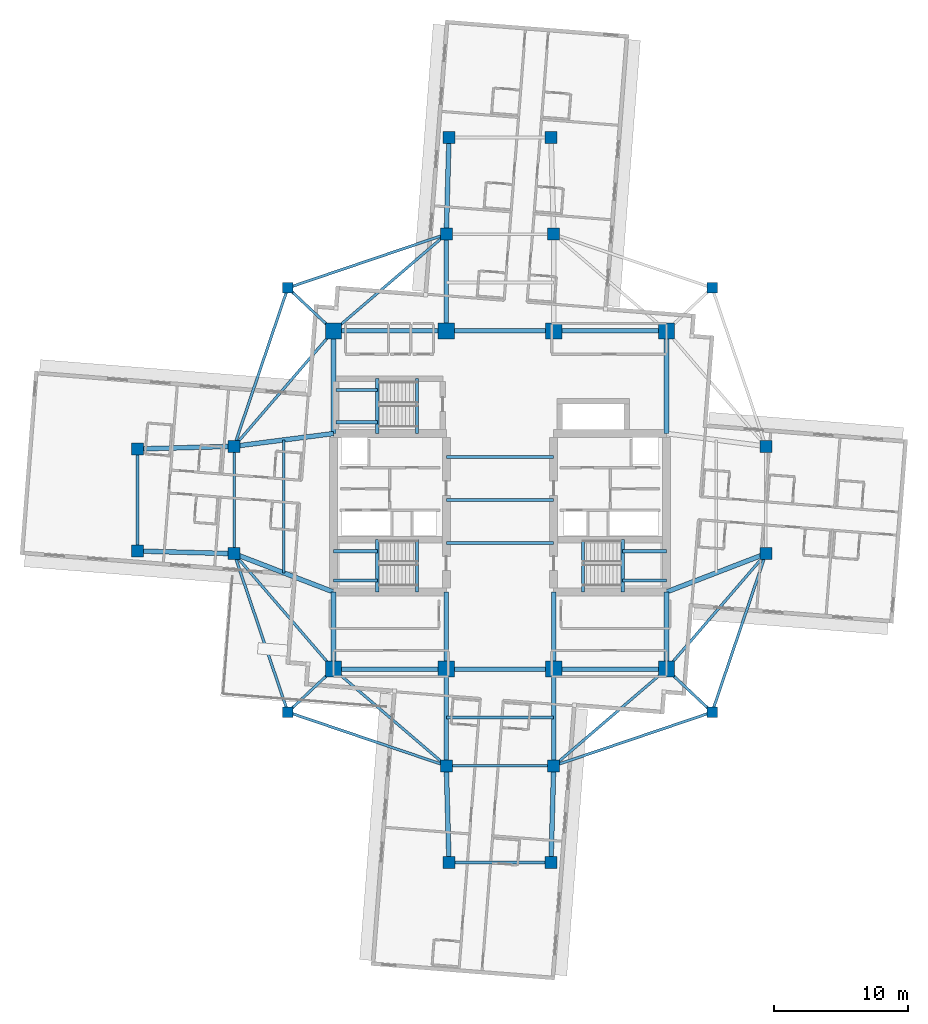
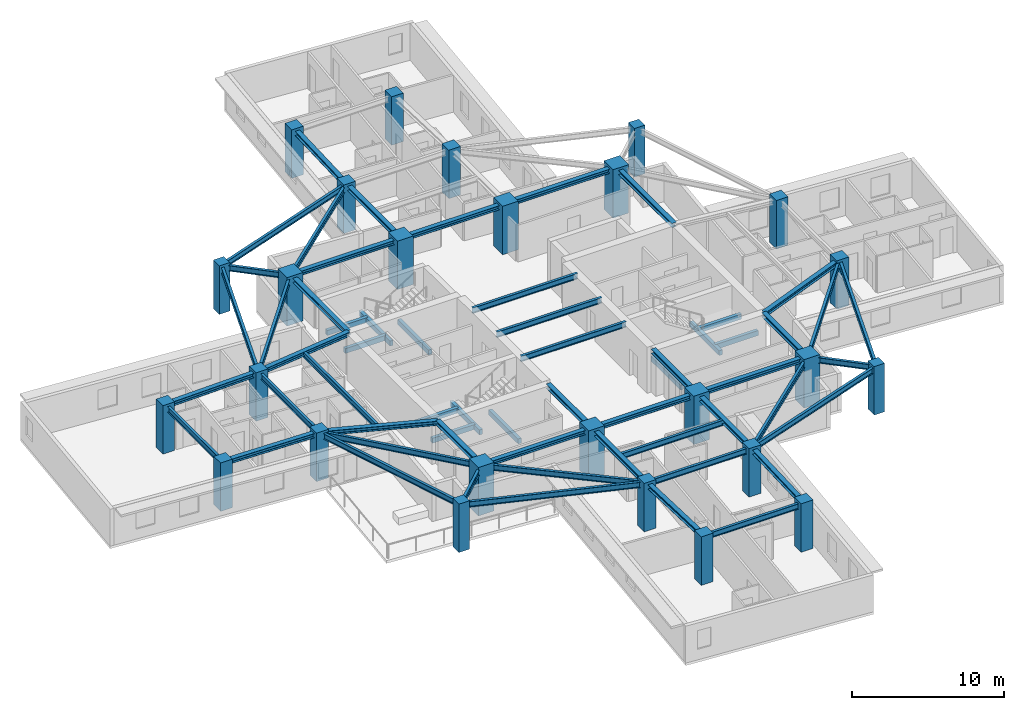
# One storey, part 1 of 14: 59 beams, 26 columns.
"""IFC4 building model written with IfcOpenShell, lengths in metres."""

from ifc_helpers import new_model, si_unit, direction, frame, origin, origin_2d, place, context, subcontext, project, spatial, rectangle, i_section, extrude, material, material_profile, profile_set, type_object, element, save


model = new_model("IFC4")

# Units and contexts
model_context = context("Model", 3, precision=1e-05, world=origin(), true_north=direction((0.0, 1.0)))
body_context = subcontext(model_context, "Body", "Model", "MODEL_VIEW")
ifc_project = project(units=[si_unit("LENGTHUNIT", "METRE"), si_unit("AREAUNIT", "SQUARE_METRE"), si_unit("VOLUMEUNIT", "CUBIC_METRE"), si_unit("PLANEANGLEUNIT", "RADIAN"), si_unit("MASSUNIT", "GRAM", prefix="KILO")], contexts=[model_context])

# Site, building, storey
site_placement = place(None, origin())
site = spatial("IfcSite", under=ifc_project, at=site_placement, CompositionType="ELEMENT")
building_placement = place(site_placement, origin())
building = spatial("IfcBuilding", under=site, at=building_placement, Name="Qingluan Cross Belvedere", CompositionType="ELEMENT")
storey_placement = place(building_placement, frame((0.0, 0.0, 164.39990234375)))
storey = spatial("IfcBuildingStorey", under=building, at=storey_placement, Name="L41", CompositionType="ELEMENT", Elevation=164.39990234375)

# Columns
ifc_material_1 = material(Name="Concrete C60", Category="concrete")
ifc_material_profile_1 = material_profile(ifc_material_1, rectangle(XDim=1.199951171875, YDim=1.199951171875, at=origin_2d()), Name="RC1200x1200")
ifc_profile_set_1 = profile_set([ifc_material_profile_1], Name="Concrete C60")
column_type_1 = type_object("IfcColumnType", Name="Column_RC1200x1200", PredefinedType="COLUMN", material=ifc_profile_set_1)
for number, where, z_axis, x_axis, name in (
    (1, (-12.39990234375, -12.60009765625, 0.0), (0.0, 0.0, 1.0), (1.0, 0.0, 0.0), "Hub column L41-HC1"),
    (2, (12.39990234375, -12.60009765625, 0.0), (0.0, 0.0, 1.0), (1.0, 0.0, 0.0), "Hub column L41-HC2"),
    (3, (12.39990234375, 12.60009765625, 0.0), (0.0, 0.0, 1.0), (1.0, 0.0, 0.0), "Hub column L41-HC3"),
    (4, (-12.39990234375, 12.60009765625, 0.0), (0.0, 0.0, 1.0), (1.0, 0.0, 0.0), "Hub column L41-HC4"),
    (5, (-4.0, -12.60009765625, 0.0), (0.0, 0.0, 1.0), (1.0, 0.0, 0.0), "Hub column L41-HC5"),
    (6, (4.0, -12.60009765625, 0.0), (0.0, 0.0, 1.0), (1.0, 0.0, 0.0), "Hub column L41-HC6"),
    (7, (4.0, 12.60009765625, 0.0), (0.0, 0.0, 1.0), (1.0, 0.0, 0.0), "Hub column L41-HC7"),
    (8, (-4.0, 12.60009765625, 0.0), (0.0, 0.0, 1.0), (1.0, 0.0, 0.0), "Hub column L41-HC8"),
):
    element("IfcColumn", number, at=place(storey_placement, frame(where, z_axis=z_axis, x_axis=x_axis)), inside=storey, type_object=column_type_1, Name=name, PredefinedType="COLUMN", context=body_context, shape_type="SweptSolid", body=[
        extrude(rectangle(XDim=1.199951171875, YDim=1.199951171875, at=origin_2d()), origin(), (0.0, 0.0, 1.0), 3.900146484375),
    ])
ifc_material_2 = material(Name="Concrete C50", Category="concrete")
ifc_material_profile_2 = material_profile(ifc_material_2, rectangle(XDim=0.800048828125, YDim=0.800048828125, at=origin_2d()), Name="RC800x800")
ifc_profile_set_2 = profile_set([ifc_material_profile_2], Name="Concrete C50")
column_type_2 = type_object("IfcColumnType", Name="Column_RC800x800", PredefinedType="COLUMN", material=ifc_profile_set_2)
for number, where, z_axis, x_axis, name in (
    (9, (15.800048828125, 15.800048828125, 0.0), (0.0, 0.0, 1.0), (1.0, 0.0, 0.0), "Corner column L41-RNE"),
    (10, (-15.800048828125, 15.800048828125, 0.0), (0.0, 0.0, 1.0), (1.0, 0.0, 0.0), "Corner column L41-RNW"),
    (11, (-15.800048828125, -15.800048828125, 0.0), (0.0, 0.0, 1.0), (1.0, 0.0, 0.0), "Corner column L41-RSW"),
    (12, (15.800048828125, -15.800048828125, 0.0), (0.0, 0.0, 1.0), (1.0, 0.0, 0.0), "Corner column L41-RSE"),
):
    element("IfcColumn", number, at=place(storey_placement, frame(where, z_axis=z_axis, x_axis=x_axis)), inside=storey, type_object=column_type_2, Name=name, PredefinedType="COLUMN", context=body_context, shape_type="SweptSolid", body=[
        extrude(rectangle(XDim=0.800048828125, YDim=0.800048828125, at=origin_2d()), origin(), (0.0, 0.0, 1.0), 3.900146484375),
    ])
ifc_material_3 = material(Name="Concrete C50", Category="concrete")
ifc_material_profile_3 = material_profile(ifc_material_3, rectangle(XDim=0.89990234375, YDim=0.89990234375, at=origin_2d()), Name="RC900x900")
ifc_profile_set_3 = profile_set([ifc_material_profile_3], Name="Concrete C50")
column_type_3 = type_object("IfcColumnType", Name="Column_RC900x900", PredefinedType="COLUMN", material=ifc_profile_set_3)
for number, where, z_axis, x_axis, name in (
    (13, (19.800048828125, -4.0, 0.0), (0.0, 0.0, 1.0), (1.0, 0.0, 0.0), "Arm column L41-EIA"),
    (14, (19.800048828125, 4.0, 0.0), (0.0, 0.0, 1.0), (1.0, 0.0, 0.0), "Arm column L41-EIB"),
    (15, (-19.800048828125, -4.0, 0.0), (0.0, 0.0, 1.0), (1.0, 0.0, 0.0), "Arm column L41-WIA"),
    (16, (-19.800048828125, 4.0, 0.0), (0.0, 0.0, 1.0), (1.0, 0.0, 0.0), "Arm column L41-WIB"),
    (17, (-4.0, -19.800048828125, 0.0), (0.0, 0.0, 1.0), (1.0, 0.0, 0.0), "Arm column L41-SIA"),
    (18, (4.0, -19.800048828125, 0.0), (0.0, 0.0, 1.0), (1.0, 0.0, 0.0), "Arm column L41-SIB"),
    (19, (-4.0, 19.800048828125, 0.0), (0.0, 0.0, 1.0), (1.0, 0.0, 0.0), "Arm column L41-NIA"),
    (20, (4.0, 19.800048828125, 0.0), (0.0, 0.0, 1.0), (1.0, 0.0, 0.0), "Arm column L41-NIB"),
    (21, (-27.0, -3.800048828125, 0.0), (0.0, 0.0, 1.0), (1.0, 0.0, 0.0), "Arm column L41-WOA"),
    (22, (-27.0, 3.800048828125, 0.0), (0.0, 0.0, 1.0), (1.0, 0.0, 0.0), "Arm column L41-WOB"),
    (23, (-3.800048828125, -27.0, 0.0), (0.0, 0.0, 1.0), (1.0, 0.0, 0.0), "Arm column L41-SOA"),
    (24, (3.800048828125, -27.0, 0.0), (0.0, 0.0, 1.0), (1.0, 0.0, 0.0), "Arm column L41-SOB"),
    (25, (-3.800048828125, 27.0, 0.0), (0.0, 0.0, 1.0), (1.0, 0.0, 0.0), "Arm column L41-NOA"),
    (26, (3.800048828125, 27.0, 0.0), (0.0, 0.0, 1.0), (1.0, 0.0, 0.0), "Arm column L41-NOB"),
):
    element("IfcColumn", number, at=place(storey_placement, frame(where, z_axis=z_axis, x_axis=x_axis)), inside=storey, type_object=column_type_3, Name=name, PredefinedType="COLUMN", context=body_context, shape_type="SweptSolid", body=[
        extrude(rectangle(XDim=0.89990234375, YDim=0.89990234375, at=origin_2d()), origin(), (0.0, 0.0, 1.0), 3.900146484375),
    ])

# Beams
ifc_material_4 = material(Name="Concrete C45", Category="concrete")
ifc_material_profile_4 = material_profile(ifc_material_4, rectangle(XDim=0.25, YDim=0.39990234375, at=origin_2d()), Name="RC250x400")
ifc_profile_set_4 = profile_set([ifc_material_profile_4], Name="Concrete C45")
beam_type_1 = type_object("IfcBeamType", Name="RC_Lintel_RC250x400", PredefinedType="LINTEL", material=ifc_profile_set_4)
for number, where, z_axis, x_axis, name in (
    (27, (-6.179931640625, -6.85009765625, -0.199951171875), (0.0, 1.0, 0.0), (-1.0, 0.0, 0.0), "Stair ST1 landing beam L41"),
    (28, (6.179931640625, -6.85009765625, -0.199951171875), (0.0, 1.0, 0.0), (-1.0, 0.0, 0.0), "Stair ST2 landing beam L41"),
):
    element("IfcBeam", number, at=place(storey_placement, frame(where, z_axis=z_axis, x_axis=x_axis)), inside=storey, type_object=beam_type_1, Name=name, PredefinedType="LINTEL", context=body_context, shape_type="SweptSolid", body=[
        extrude(rectangle(XDim=0.25, YDim=0.39990234375, at=origin_2d()), origin(), (0.0, 0.0, 1.0), 3.89013671875),
    ])
beam_1_placement = place(storey_placement, frame((-6.179931640625, 4.949951171875, -0.199951171875), z_axis=(0.0, 1.0, 0.0), x_axis=(-1.0, 0.0, 0.0)))
element("IfcBeam", 29, at=beam_1_placement, inside=storey, type_object=beam_type_1, Name="Stair ST3 landing beam L41", PredefinedType="LINTEL", context=body_context, shape_type="SweptSolid", body=[
    extrude(rectangle(XDim=0.25, YDim=0.39990234375, at=origin_2d()), origin(), (0.0, 0.0, 1.0), 4.090087890625),
])
beam_2_placement = place(storey_placement, frame((-9.1298828125, -6.85009765625, 1.550048828125), z_axis=(0.0, 1.0, 0.0), x_axis=(-1.0, 0.0, 0.0)))
element("IfcBeam", 30, at=beam_2_placement, inside=storey, type_object=beam_type_1, Name="Stair ST1 beam A L41", PredefinedType="LINTEL", context=body_context, shape_type="SweptSolid", body=[
    extrude(rectangle(XDim=0.25, YDim=0.39990234375, at=origin_2d()), origin(), (0.0, 0.0, 1.0), 3.89013671875),
])
for number, where, z_axis, x_axis, name in (
    (31, (-12.39990234375, -6.0, 1.550048828125), (1.0, 0.0, 0.0), (0.0, 1.0, 0.0), "Stair ST1 beam B L41"),
    (32, (-12.39990234375, -3.81005859375, 1.550048828125), (1.0, 0.0, 0.0), (0.0, 1.0, 0.0), "Stair ST1 beam C L41"),
):
    element("IfcBeam", number, at=place(storey_placement, frame(where, z_axis=z_axis, x_axis=x_axis)), inside=storey, type_object=beam_type_1, Name=name, PredefinedType="LINTEL", context=body_context, shape_type="SweptSolid", body=[
        extrude(rectangle(XDim=0.25, YDim=0.39990234375, at=origin_2d()), origin(), (0.0, 0.0, 1.0), 3.27001953125),
    ])
beam_3_placement = place(storey_placement, frame((9.1298828125, -6.85009765625, 1.550048828125), z_axis=(0.0, 1.0, 0.0), x_axis=(-1.0, 0.0, 0.0)))
element("IfcBeam", 33, at=beam_3_placement, inside=storey, type_object=beam_type_1, Name="Stair ST2 beam A L41", PredefinedType="LINTEL", context=body_context, shape_type="SweptSolid", body=[
    extrude(rectangle(XDim=0.25, YDim=0.39990234375, at=origin_2d()), origin(), (0.0, 0.0, 1.0), 3.89013671875),
])
for number, where, z_axis, x_axis, name in (
    (34, (12.39990234375, -6.0, 1.550048828125), (-1.0, 0.0, 0.0), (0.0, -1.0, 0.0), "Stair ST2 beam B L41"),
    (35, (12.39990234375, -3.81005859375, 1.550048828125), (-1.0, 0.0, 0.0), (0.0, -1.0, 0.0), "Stair ST2 beam C L41"),
):
    element("IfcBeam", number, at=place(storey_placement, frame(where, z_axis=z_axis, x_axis=x_axis)), inside=storey, type_object=beam_type_1, Name=name, PredefinedType="LINTEL", context=body_context, shape_type="SweptSolid", body=[
        extrude(rectangle(XDim=0.25, YDim=0.39990234375, at=origin_2d()), origin(), (0.0, 0.0, 1.0), 3.27001953125),
    ])
beam_4_placement = place(storey_placement, frame((-9.1298828125, 4.949951171875, 1.550048828125), z_axis=(0.0, 1.0, 0.0), x_axis=(-1.0, 0.0, 0.0)))
element("IfcBeam", 36, at=beam_4_placement, inside=storey, type_object=beam_type_1, Name="Stair ST3 beam A L41", PredefinedType="LINTEL", context=body_context, shape_type="SweptSolid", body=[
    extrude(rectangle(XDim=0.25, YDim=0.39990234375, at=origin_2d()), origin(), (0.0, 0.0, 1.0), 4.090087890625),
])
for number, where, z_axis, x_axis, name in (
    (37, (-12.219970703125, 5.800048828125, 1.550048828125), (1.0, 0.0, 0.0), (0.0, 1.0, 0.0), "Stair ST3 beam B L41"),
    (38, (-12.219970703125, 8.18994140625, 1.550048828125), (1.0, 0.0, 0.0), (0.0, 1.0, 0.0), "Stair ST3 beam C L41"),
):
    element("IfcBeam", number, at=place(storey_placement, frame(where, z_axis=z_axis, x_axis=x_axis)), inside=storey, type_object=beam_type_1, Name=name, PredefinedType="LINTEL", context=body_context, shape_type="SweptSolid", body=[
        extrude(rectangle(XDim=0.25, YDim=0.39990234375, at=origin_2d()), origin(), (0.0, 0.0, 1.0), 3.090087890625),
    ])
ifc_material_5 = material(Name="Steel Q420GJB", Category="steel")
ifc_material_profile_5 = material_profile(ifc_material_5, i_section(OverallWidth=0.199951171875, OverallDepth=0.449951171875, WebThickness=0.009033203125, FlangeThickness=0.013916015625, FilletRadius=0.01611328125, at=origin_2d()), Name="HN450x200x9x14")
ifc_profile_set_5 = profile_set([ifc_material_profile_5], Name="Steel Q420GJB")
beam_type_2 = type_object("IfcBeamType", Name="Steel_Beam_HN450x200x9x14", PredefinedType="JOIST", material=ifc_profile_set_5)
beam_5_placement = place(storey_placement, frame((-12.39990234375, 12.60009765625, 3.47509765625), z_axis=(-0.728219948308, 0.685343495546, 0.0), x_axis=(-0.685343495546, -0.728219948308, 0.0)))
element("IfcBeam", 39, at=beam_5_placement, inside=storey, type_object=beam_type_2, Name="Corner beam 1 L41-RNW", PredefinedType="JOIST", context=body_context, shape_type="SweptSolid", body=[
    extrude(i_section(OverallWidth=0.199951171875, OverallDepth=0.449951171875, WebThickness=0.009033203125, FlangeThickness=0.013916015625, FilletRadius=0.01611328125, at=origin_2d()), origin(), (0.0, 0.0, 1.0), 4.669189453125),
])
for number, where, z_axis, x_axis, name in (
    (40, (-15.800048828125, 15.800048828125, 3.47509765625), (0.947066283324, 0.321038089628, 0.0), (-0.321038089628, 0.947066283324, 0.0), "Corner beam 2 L41-RNW"),
    (41, (-15.800048828125, 15.800048828125, 3.47509765625), (-0.321038089628, -0.947066283324, 0.0), (0.947066283324, -0.321038089628, 0.0), "Corner beam 3 L41-RNW"),
):
    element("IfcBeam", number, at=place(storey_placement, frame(where, z_axis=z_axis, x_axis=x_axis)), inside=storey, type_object=beam_type_2, Name=name, PredefinedType="JOIST", context=body_context, shape_type="SweptSolid", body=[
        extrude(i_section(OverallWidth=0.199951171875, OverallDepth=0.449951171875, WebThickness=0.009033203125, FlangeThickness=0.013916015625, FilletRadius=0.01611328125, at=origin_2d()), origin(), (0.0, 0.0, 1.0), 12.45947265625),
    ])
beam_6_placement = place(storey_placement, frame((-12.39990234375, 12.60009765625, 3.47509765625), z_axis=(-0.652245077546, -0.75800815221, 0.0), x_axis=(0.75800815221, -0.652245077546, 0.0)))
element("IfcBeam", 42, at=beam_6_placement, inside=storey, type_object=beam_type_2, Name="Corner beam 4 L41-RNW", PredefinedType="JOIST", context=body_context, shape_type="SweptSolid", body=[
    extrude(i_section(OverallWidth=0.199951171875, OverallDepth=0.449951171875, WebThickness=0.009033203125, FlangeThickness=0.013916015625, FilletRadius=0.01611328125, at=origin_2d()), origin(), (0.0, 0.0, 1.0), 11.345703125),
])
beam_7_placement = place(storey_placement, frame((-12.39990234375, 12.60009765625, 3.47509765625), z_axis=(0.759255044656, 0.650793190779, 0.0), x_axis=(-0.650793190779, 0.759255044656, 0.0)))
element("IfcBeam", 43, at=beam_7_placement, inside=storey, type_object=beam_type_2, Name="Corner beam 5 L41-RNW", PredefinedType="JOIST", context=body_context, shape_type="SweptSolid", body=[
    extrude(i_section(OverallWidth=0.199951171875, OverallDepth=0.449951171875, WebThickness=0.009033203125, FlangeThickness=0.013916015625, FilletRadius=0.01611328125, at=origin_2d()), origin(), (0.0, 0.0, 1.0), 11.063232421875),
])
beam_8_placement = place(storey_placement, frame((-12.39990234375, -12.60009765625, 3.47509765625), z_axis=(-0.728219948308, -0.685343495546, 0.0), x_axis=(0.685343495546, -0.728219948308, 0.0)))
element("IfcBeam", 44, at=beam_8_placement, inside=storey, type_object=beam_type_2, Name="Corner beam 1 L41-RSW", PredefinedType="JOIST", context=body_context, shape_type="SweptSolid", body=[
    extrude(i_section(OverallWidth=0.199951171875, OverallDepth=0.449951171875, WebThickness=0.009033203125, FlangeThickness=0.013916015625, FilletRadius=0.01611328125, at=origin_2d()), origin(), (0.0, 0.0, 1.0), 4.669189453125),
])
for number, where, z_axis, x_axis, name in (
    (45, (-15.800048828125, -15.800048828125, 3.47509765625), (0.947066283324, -0.321038089628, 0.0), (0.321038089628, 0.947066283324, 0.0), "Corner beam 2 L41-RSW"),
    (46, (-15.800048828125, -15.800048828125, 3.47509765625), (-0.321038089628, 0.947066283324, 0.0), (-0.947066283324, -0.321038089628, 0.0), "Corner beam 3 L41-RSW"),
):
    element("IfcBeam", number, at=place(storey_placement, frame(where, z_axis=z_axis, x_axis=x_axis)), inside=storey, type_object=beam_type_2, Name=name, PredefinedType="JOIST", context=body_context, shape_type="SweptSolid", body=[
        extrude(i_section(OverallWidth=0.199951171875, OverallDepth=0.449951171875, WebThickness=0.009033203125, FlangeThickness=0.013916015625, FilletRadius=0.01611328125, at=origin_2d()), origin(), (0.0, 0.0, 1.0), 12.45947265625),
    ])
beam_9_placement = place(storey_placement, frame((-12.39990234375, -12.60009765625, 3.47509765625), z_axis=(-0.652245077546, 0.75800815221, 0.0), x_axis=(-0.75800815221, -0.652245077546, 0.0)))
element("IfcBeam", 47, at=beam_9_placement, inside=storey, type_object=beam_type_2, Name="Corner beam 4 L41-RSW", PredefinedType="JOIST", context=body_context, shape_type="SweptSolid", body=[
    extrude(i_section(OverallWidth=0.199951171875, OverallDepth=0.449951171875, WebThickness=0.009033203125, FlangeThickness=0.013916015625, FilletRadius=0.01611328125, at=origin_2d()), origin(), (0.0, 0.0, 1.0), 11.345703125),
])
beam_10_placement = place(storey_placement, frame((-12.39990234375, -12.60009765625, 3.47509765625), z_axis=(0.759255044656, -0.650793190779, 0.0), x_axis=(0.650793190779, 0.759255044656, 0.0)))
element("IfcBeam", 48, at=beam_10_placement, inside=storey, type_object=beam_type_2, Name="Corner beam 5 L41-RSW", PredefinedType="JOIST", context=body_context, shape_type="SweptSolid", body=[
    extrude(i_section(OverallWidth=0.199951171875, OverallDepth=0.449951171875, WebThickness=0.009033203125, FlangeThickness=0.013916015625, FilletRadius=0.01611328125, at=origin_2d()), origin(), (0.0, 0.0, 1.0), 11.063232421875),
])
beam_11_placement = place(storey_placement, frame((12.39990234375, -12.60009765625, 3.455078125), z_axis=(0.728219948308, -0.685343495546, 0.0), x_axis=(0.685343495546, 0.728219948308, 0.0)))
element("IfcBeam", 49, at=beam_11_placement, inside=storey, type_object=beam_type_2, Name="Corner beam 1 L41-RSE", PredefinedType="JOIST", context=body_context, shape_type="SweptSolid", body=[
    extrude(i_section(OverallWidth=0.199951171875, OverallDepth=0.449951171875, WebThickness=0.009033203125, FlangeThickness=0.013916015625, FilletRadius=0.01611328125, at=origin_2d()), origin(), (0.0, 0.0, 1.0), 4.669189453125),
])
for number, where, z_axis, x_axis, name in (
    (50, (15.800048828125, -15.800048828125, 3.455078125), (-0.947066283324, -0.321038089628, 0.0), (0.321038089628, -0.947066283324, 0.0), "Corner beam 2 L41-RSE"),
    (51, (15.800048828125, -15.800048828125, 3.47509765625), (0.321038089628, 0.947066283324, 0.0), (-0.947066283324, 0.321038089628, 0.0), "Corner beam 3 L41-RSE"),
):
    element("IfcBeam", number, at=place(storey_placement, frame(where, z_axis=z_axis, x_axis=x_axis)), inside=storey, type_object=beam_type_2, Name=name, PredefinedType="JOIST", context=body_context, shape_type="SweptSolid", body=[
        extrude(i_section(OverallWidth=0.199951171875, OverallDepth=0.449951171875, WebThickness=0.009033203125, FlangeThickness=0.013916015625, FilletRadius=0.01611328125, at=origin_2d()), origin(), (0.0, 0.0, 1.0), 12.45947265625),
    ])
beam_12_placement = place(storey_placement, frame((12.39990234375, -12.60009765625, 3.455078125), z_axis=(0.652245077546, 0.75800815221, 0.0), x_axis=(-0.75800815221, 0.652245077546, 0.0)))
element("IfcBeam", 52, at=beam_12_placement, inside=storey, type_object=beam_type_2, Name="Corner beam 4 L41-RSE", PredefinedType="JOIST", context=body_context, shape_type="SweptSolid", body=[
    extrude(i_section(OverallWidth=0.199951171875, OverallDepth=0.449951171875, WebThickness=0.009033203125, FlangeThickness=0.013916015625, FilletRadius=0.01611328125, at=origin_2d()), origin(), (0.0, 0.0, 1.0), 11.345703125),
])
beam_13_placement = place(storey_placement, frame((12.39990234375, -12.60009765625, 3.455078125), z_axis=(-0.759255044656, -0.650793190779, 0.0), x_axis=(0.650793190779, -0.759255044656, 0.0)))
element("IfcBeam", 53, at=beam_13_placement, inside=storey, type_object=beam_type_2, Name="Corner beam 5 L41-RSE", PredefinedType="JOIST", context=body_context, shape_type="SweptSolid", body=[
    extrude(i_section(OverallWidth=0.199951171875, OverallDepth=0.449951171875, WebThickness=0.009033203125, FlangeThickness=0.013916015625, FilletRadius=0.01611328125, at=origin_2d()), origin(), (0.0, 0.0, 1.0), 11.063232421875),
])
for number, where, z_axis, x_axis, name in (
    (54, (-4.0, -3.199951171875, 3.47509765625), (1.0, 0.0, 0.0), (0.0, 1.0, 0.0), "Hall beam L41-CH1"),
    (55, (-4.0, 0.0, 3.47509765625), (1.0, 0.0, 0.0), (0.0, 1.0, 0.0), "Hall beam L41-CH2"),
    (56, (-4.0, 3.199951171875, 3.47509765625), (1.0, 0.0, 0.0), (0.0, 1.0, 0.0), "Hall beam L41-CH3"),
    (57, (-19.800048828125, -4.0, 3.47509765625), (0.0, 1.0, 0.0), (-1.0, 0.0, 0.0), "Arm W tie L41"),
):
    element("IfcBeam", number, at=place(storey_placement, frame(where, z_axis=z_axis, x_axis=x_axis)), inside=storey, type_object=beam_type_2, Name=name, PredefinedType="JOIST", context=body_context, shape_type="SweptSolid", body=[
        extrude(i_section(OverallWidth=0.199951171875, OverallDepth=0.449951171875, WebThickness=0.009033203125, FlangeThickness=0.013916015625, FilletRadius=0.01611328125, at=origin_2d()), origin(), (0.0, 0.0, 1.0), 8.0),
    ])
beam_14_placement = place(storey_placement, frame((-16.10009765625, -5.425048828125, 3.47509765625), z_axis=(0.0, 1.0, 0.0), x_axis=(-1.0, 0.0, 0.0)))
element("IfcBeam", 58, at=beam_14_placement, inside=storey, type_object=beam_type_2, Name="Arm W beam L41", PredefinedType="JOIST", context=body_context, shape_type="SweptSolid", body=[
    extrude(i_section(OverallWidth=0.199951171875, OverallDepth=0.449951171875, WebThickness=0.009033203125, FlangeThickness=0.013916015625, FilletRadius=0.01611328125, at=origin_2d()), origin(), (0.0, 0.0, 1.0), 9.900146484375),
])
beam_15_placement = place(storey_placement, frame((-27.0, -3.800048828125, 3.47509765625), z_axis=(0.0, 1.0, 0.0), x_axis=(-1.0, 0.0, 0.0)))
element("IfcBeam", 59, at=beam_15_placement, inside=storey, type_object=beam_type_2, Name="Arm W tip transverse beam L41", PredefinedType="JOIST", context=body_context, shape_type="SweptSolid", body=[
    extrude(i_section(OverallWidth=0.199951171875, OverallDepth=0.449951171875, WebThickness=0.009033203125, FlangeThickness=0.013916015625, FilletRadius=0.01611328125, at=origin_2d()), origin(), (0.0, 0.0, 1.0), 7.60009765625),
])
for number, where, z_axis, x_axis, name in (
    (60, (-4.0, -19.800048828125, 3.47509765625), (1.0, 0.0, 0.0), (0.0, 1.0, 0.0), "Arm S tie L41"),
    (61, (-4.0, -16.199951171875, 3.47509765625), (1.0, 0.0, 0.0), (0.0, 1.0, 0.0), "Arm S beam L41"),
):
    element("IfcBeam", number, at=place(storey_placement, frame(where, z_axis=z_axis, x_axis=x_axis)), inside=storey, type_object=beam_type_2, Name=name, PredefinedType="JOIST", context=body_context, shape_type="SweptSolid", body=[
        extrude(i_section(OverallWidth=0.199951171875, OverallDepth=0.449951171875, WebThickness=0.009033203125, FlangeThickness=0.013916015625, FilletRadius=0.01611328125, at=origin_2d()), origin(), (0.0, 0.0, 1.0), 8.0),
    ])
beam_16_placement = place(storey_placement, frame((-3.800048828125, -27.0, 3.47509765625), z_axis=(1.0, 0.0, 0.0), x_axis=(0.0, 1.0, 0.0)))
element("IfcBeam", 62, at=beam_16_placement, inside=storey, type_object=beam_type_2, Name="Arm S tip transverse beam L41", PredefinedType="JOIST", context=body_context, shape_type="SweptSolid", body=[
    extrude(i_section(OverallWidth=0.199951171875, OverallDepth=0.449951171875, WebThickness=0.009033203125, FlangeThickness=0.013916015625, FilletRadius=0.01611328125, at=origin_2d()), origin(), (0.0, 0.0, 1.0), 7.60009765625),
])
ifc_material_6 = material(Name="Steel Q420GJB", Category="steel")
ifc_material_profile_6 = material_profile(ifc_material_6, i_section(OverallWidth=0.35009765625, OverallDepth=0.35009765625, WebThickness=0.011962890625, FlangeThickness=0.01904296875, FilletRadius=0.02001953125, at=origin_2d()), Name="HW350x350x12x19")
ifc_profile_set_6 = profile_set([ifc_material_profile_6], Name="Steel Q420GJB")
beam_type_3 = type_object("IfcBeamType", Name="Steel_Girder_HW350x350x12x19", PredefinedType="USERDEFINED", material=ifc_profile_set_6)
beam_17_placement = place(storey_placement, frame((-12.39990234375, -12.60009765625, 3.525146484375), z_axis=(1.0, 0.0, 0.0), x_axis=(0.0, 1.0, 0.0)))
element("IfcBeam", 63, at=beam_17_placement, inside=storey, type_object=beam_type_3, Name="Hub girder L41-HG-S1", ObjectType="GIRDER", PredefinedType="USERDEFINED", context=body_context, shape_type="SweptSolid", body=[
    extrude(i_section(OverallWidth=0.35009765625, OverallDepth=0.35009765625, WebThickness=0.011962890625, FlangeThickness=0.01904296875, FilletRadius=0.02001953125, at=origin_2d()), origin(), (0.0, 0.0, 1.0), 8.39990234375),
])
beam_18_placement = place(storey_placement, frame((-4.0, -12.60009765625, 3.525146484375), z_axis=(1.0, 0.0, 0.0), x_axis=(0.0, 1.0, 0.0)))
element("IfcBeam", 64, at=beam_18_placement, inside=storey, type_object=beam_type_3, Name="Hub girder L41-HG-S2", ObjectType="GIRDER", PredefinedType="USERDEFINED", context=body_context, shape_type="SweptSolid", body=[
    extrude(i_section(OverallWidth=0.35009765625, OverallDepth=0.35009765625, WebThickness=0.011962890625, FlangeThickness=0.01904296875, FilletRadius=0.02001953125, at=origin_2d()), origin(), (0.0, 0.0, 1.0), 8.0),
])
for number, where, z_axis, x_axis, name in (
    (65, (4.0, -12.60009765625, 3.525146484375), (1.0, 0.0, 0.0), (0.0, 1.0, 0.0), "Hub girder L41-HG-S3"),
    (66, (-12.39990234375, 12.60009765625, 3.525146484375), (1.0, 0.0, 0.0), (0.0, 1.0, 0.0), "Hub girder L41-HG-N1"),
):
    element("IfcBeam", number, at=place(storey_placement, frame(where, z_axis=z_axis, x_axis=x_axis)), inside=storey, type_object=beam_type_3, Name=name, ObjectType="GIRDER", PredefinedType="USERDEFINED", context=body_context, shape_type="SweptSolid", body=[
        extrude(i_section(OverallWidth=0.35009765625, OverallDepth=0.35009765625, WebThickness=0.011962890625, FlangeThickness=0.01904296875, FilletRadius=0.02001953125, at=origin_2d()), origin(), (0.0, 0.0, 1.0), 8.39990234375),
    ])
beam_19_placement = place(storey_placement, frame((-4.0, 12.60009765625, 3.525146484375), z_axis=(1.0, 0.0, 0.0), x_axis=(0.0, 1.0, 0.0)))
element("IfcBeam", 67, at=beam_19_placement, inside=storey, type_object=beam_type_3, Name="Hub girder L41-HG-N2", ObjectType="GIRDER", PredefinedType="USERDEFINED", context=body_context, shape_type="SweptSolid", body=[
    extrude(i_section(OverallWidth=0.35009765625, OverallDepth=0.35009765625, WebThickness=0.011962890625, FlangeThickness=0.01904296875, FilletRadius=0.02001953125, at=origin_2d()), origin(), (0.0, 0.0, 1.0), 8.0),
])
beam_20_placement = place(storey_placement, frame((4.0, 12.60009765625, 3.525146484375), z_axis=(1.0, 0.0, 0.0), x_axis=(0.0, 1.0, 0.0)))
element("IfcBeam", 68, at=beam_20_placement, inside=storey, type_object=beam_type_3, Name="Hub girder L41-HG-N3", ObjectType="GIRDER", PredefinedType="USERDEFINED", context=body_context, shape_type="SweptSolid", body=[
    extrude(i_section(OverallWidth=0.35009765625, OverallDepth=0.35009765625, WebThickness=0.011962890625, FlangeThickness=0.01904296875, FilletRadius=0.02001953125, at=origin_2d()), origin(), (0.0, 0.0, 1.0), 8.39990234375),
])
beam_21_placement = place(storey_placement, frame((-12.39990234375, -12.60009765625, 3.525146484375), z_axis=(0.0, 1.0, 0.0), x_axis=(-1.0, 0.0, 0.0)))
element("IfcBeam", 69, at=beam_21_placement, inside=storey, type_object=beam_type_3, Name="Hub girder L41-HG-W1", ObjectType="GIRDER", PredefinedType="USERDEFINED", context=body_context, shape_type="SweptSolid", body=[
    extrude(i_section(OverallWidth=0.35009765625, OverallDepth=0.35009765625, WebThickness=0.011962890625, FlangeThickness=0.01904296875, FilletRadius=0.02001953125, at=origin_2d()), origin(), (0.0, 0.0, 1.0), 5.75),
])
beam_22_placement = place(storey_placement, frame((-12.39990234375, 4.949951171875, 3.525146484375), z_axis=(0.0, 1.0, 0.0), x_axis=(-1.0, 0.0, 0.0)))
element("IfcBeam", 70, at=beam_22_placement, inside=storey, type_object=beam_type_3, Name="Hub girder L41-HG-W2", ObjectType="GIRDER", PredefinedType="USERDEFINED", context=body_context, shape_type="SweptSolid", body=[
    extrude(i_section(OverallWidth=0.35009765625, OverallDepth=0.35009765625, WebThickness=0.011962890625, FlangeThickness=0.01904296875, FilletRadius=0.02001953125, at=origin_2d()), origin(), (0.0, 0.0, 1.0), 7.650146484375),
])
beam_23_placement = place(storey_placement, frame((12.39990234375, -12.60009765625, 3.525146484375), z_axis=(0.0, 1.0, 0.0), x_axis=(-1.0, 0.0, 0.0)))
element("IfcBeam", 71, at=beam_23_placement, inside=storey, type_object=beam_type_3, Name="Hub girder L41-HG-E1", ObjectType="GIRDER", PredefinedType="USERDEFINED", context=body_context, shape_type="SweptSolid", body=[
    extrude(i_section(OverallWidth=0.35009765625, OverallDepth=0.35009765625, WebThickness=0.011962890625, FlangeThickness=0.01904296875, FilletRadius=0.02001953125, at=origin_2d()), origin(), (0.0, 0.0, 1.0), 5.75),
])
beam_24_placement = place(storey_placement, frame((12.39990234375, 4.949951171875, 3.525146484375), z_axis=(0.0, 1.0, 0.0), x_axis=(-1.0, 0.0, 0.0)))
element("IfcBeam", 72, at=beam_24_placement, inside=storey, type_object=beam_type_3, Name="Hub girder L41-HG-E2", ObjectType="GIRDER", PredefinedType="USERDEFINED", context=body_context, shape_type="SweptSolid", body=[
    extrude(i_section(OverallWidth=0.35009765625, OverallDepth=0.35009765625, WebThickness=0.011962890625, FlangeThickness=0.01904296875, FilletRadius=0.02001953125, at=origin_2d()), origin(), (0.0, 0.0, 1.0), 7.650146484375),
])
for number, where, z_axis, x_axis, name in (
    (73, (-4.0, -12.60009765625, 3.525146484375), (0.0, 1.0, 0.0), (-1.0, 0.0, 0.0), "Hub girder L41-HG-CW"),
    (74, (4.0, -12.60009765625, 3.525146484375), (0.0, 1.0, 0.0), (-1.0, 0.0, 0.0), "Hub girder L41-HG-CE"),
):
    element("IfcBeam", number, at=place(storey_placement, frame(where, z_axis=z_axis, x_axis=x_axis)), inside=storey, type_object=beam_type_3, Name=name, ObjectType="GIRDER", PredefinedType="USERDEFINED", context=body_context, shape_type="SweptSolid", body=[
        extrude(i_section(OverallWidth=0.35009765625, OverallDepth=0.35009765625, WebThickness=0.011962890625, FlangeThickness=0.01904296875, FilletRadius=0.02001953125, at=origin_2d()), origin(), (0.0, 0.0, 1.0), 5.75),
    ])
for number, where, z_axis, x_axis, name in (
    (75, (12.39990234375, -6.85009765625, 3.525146484375), (0.933181258889, 0.359406090735, 0.0), (-0.359406090735, 0.933181258889, 0.0), "Arm E radial girder A L41"),
    (76, (-12.39990234375, -6.85009765625, 3.525146484375), (-0.933181258889, 0.359406090735, 0.0), (-0.359406090735, -0.933181258889, 0.0), "Arm W radial girder A L41"),
):
    element("IfcBeam", number, at=place(storey_placement, frame(where, z_axis=z_axis, x_axis=x_axis)), inside=storey, type_object=beam_type_3, Name=name, ObjectType="GIRDER", PredefinedType="USERDEFINED", context=body_context, shape_type="SweptSolid", body=[
        extrude(i_section(OverallWidth=0.35009765625, OverallDepth=0.35009765625, WebThickness=0.011962890625, FlangeThickness=0.01904296875, FilletRadius=0.02001953125, at=origin_2d()), origin(), (0.0, 0.0, 1.0), 7.929931640625),
    ])
beam_25_placement = place(storey_placement, frame((-12.39990234375, 4.949951171875, 3.525146484375), z_axis=(-0.991861120628, -0.12732445714, 0.0), x_axis=(0.12732445714, -0.991861120628, 0.0)))
element("IfcBeam", 77, at=beam_25_placement, inside=storey, type_object=beam_type_3, Name="Arm W radial girder B L41", ObjectType="GIRDER", PredefinedType="USERDEFINED", context=body_context, shape_type="SweptSolid", body=[
    extrude(i_section(OverallWidth=0.35009765625, OverallDepth=0.35009765625, WebThickness=0.011962890625, FlangeThickness=0.01904296875, FilletRadius=0.02001953125, at=origin_2d()), origin(), (0.0, 0.0, 1.0), 7.4609375),
])
for number, where, z_axis, x_axis, name in (
    (78, (-19.800048828125, -4.0, 3.525146484375), (-0.999614603568, 0.027760481514, 0.0), (-0.027760481514, -0.999614603568, 0.0), "Arm W outer radial girder A L41"),
    (79, (-19.800048828125, 4.0, 3.525146484375), (-0.999614603568, -0.027760481514, 0.0), (0.027760481514, -0.999614603568, 0.0), "Arm W outer radial girder B L41"),
):
    element("IfcBeam", number, at=place(storey_placement, frame(where, z_axis=z_axis, x_axis=x_axis)), inside=storey, type_object=beam_type_3, Name=name, ObjectType="GIRDER", PredefinedType="USERDEFINED", context=body_context, shape_type="SweptSolid", body=[
        extrude(i_section(OverallWidth=0.35009765625, OverallDepth=0.35009765625, WebThickness=0.011962890625, FlangeThickness=0.01904296875, FilletRadius=0.02001953125, at=origin_2d()), origin(), (0.0, 0.0, 1.0), 7.20263671875),
    ])
beam_26_placement = place(storey_placement, frame((-4.0, 12.60009765625, 3.525146484375), z_axis=(0.0, 1.0, 0.0), x_axis=(-1.0, 0.0, 0.0)))
element("IfcBeam", 80, at=beam_26_placement, inside=storey, type_object=beam_type_3, Name="Arm N radial girder A L41", ObjectType="GIRDER", PredefinedType="USERDEFINED", context=body_context, shape_type="SweptSolid", body=[
    extrude(i_section(OverallWidth=0.35009765625, OverallDepth=0.35009765625, WebThickness=0.011962890625, FlangeThickness=0.01904296875, FilletRadius=0.02001953125, at=origin_2d()), origin(), (0.0, 0.0, 1.0), 7.199951171875),
])
beam_27_placement = place(storey_placement, frame((-4.0, 19.800048828125, 3.525146484375), z_axis=(0.027760481514, 0.999614603568, 0.0), x_axis=(-0.999614603568, 0.027760481514, 0.0)))
element("IfcBeam", 81, at=beam_27_placement, inside=storey, type_object=beam_type_3, Name="Arm N outer radial girder A L41", ObjectType="GIRDER", PredefinedType="USERDEFINED", context=body_context, shape_type="SweptSolid", body=[
    extrude(i_section(OverallWidth=0.35009765625, OverallDepth=0.35009765625, WebThickness=0.011962890625, FlangeThickness=0.01904296875, FilletRadius=0.02001953125, at=origin_2d()), origin(), (0.0, 0.0, 1.0), 7.20263671875),
])
for number, where, z_axis, x_axis, name in (
    (82, (-4.0, -12.60009765625, 3.525146484375), (0.0, -1.0, 0.0), (1.0, 0.0, 0.0), "Arm S radial girder A L41"),
    (83, (4.0, -12.60009765625, 3.525146484375), (0.0, -1.0, 0.0), (1.0, 0.0, 0.0), "Arm S radial girder B L41"),
):
    element("IfcBeam", number, at=place(storey_placement, frame(where, z_axis=z_axis, x_axis=x_axis)), inside=storey, type_object=beam_type_3, Name=name, ObjectType="GIRDER", PredefinedType="USERDEFINED", context=body_context, shape_type="SweptSolid", body=[
        extrude(i_section(OverallWidth=0.35009765625, OverallDepth=0.35009765625, WebThickness=0.011962890625, FlangeThickness=0.01904296875, FilletRadius=0.02001953125, at=origin_2d()), origin(), (0.0, 0.0, 1.0), 7.199951171875),
    ])
for number, where, z_axis, x_axis, name in (
    (84, (-4.0, -19.800048828125, 3.525146484375), (0.027760481514, -0.999614603568, 0.0), (0.999614603568, 0.027760481514, 0.0), "Arm S outer radial girder A L41"),
    (85, (4.0, -19.800048828125, 3.525146484375), (-0.027760481514, -0.999614603568, 0.0), (0.999614603568, -0.027760481514, 0.0), "Arm S outer radial girder B L41"),
):
    element("IfcBeam", number, at=place(storey_placement, frame(where, z_axis=z_axis, x_axis=x_axis)), inside=storey, type_object=beam_type_3, Name=name, ObjectType="GIRDER", PredefinedType="USERDEFINED", context=body_context, shape_type="SweptSolid", body=[
        extrude(i_section(OverallWidth=0.35009765625, OverallDepth=0.35009765625, WebThickness=0.011962890625, FlangeThickness=0.01904296875, FilletRadius=0.02001953125, at=origin_2d()), origin(), (0.0, 0.0, 1.0), 7.20263671875),
    ])

save(model, "model.ifc")
